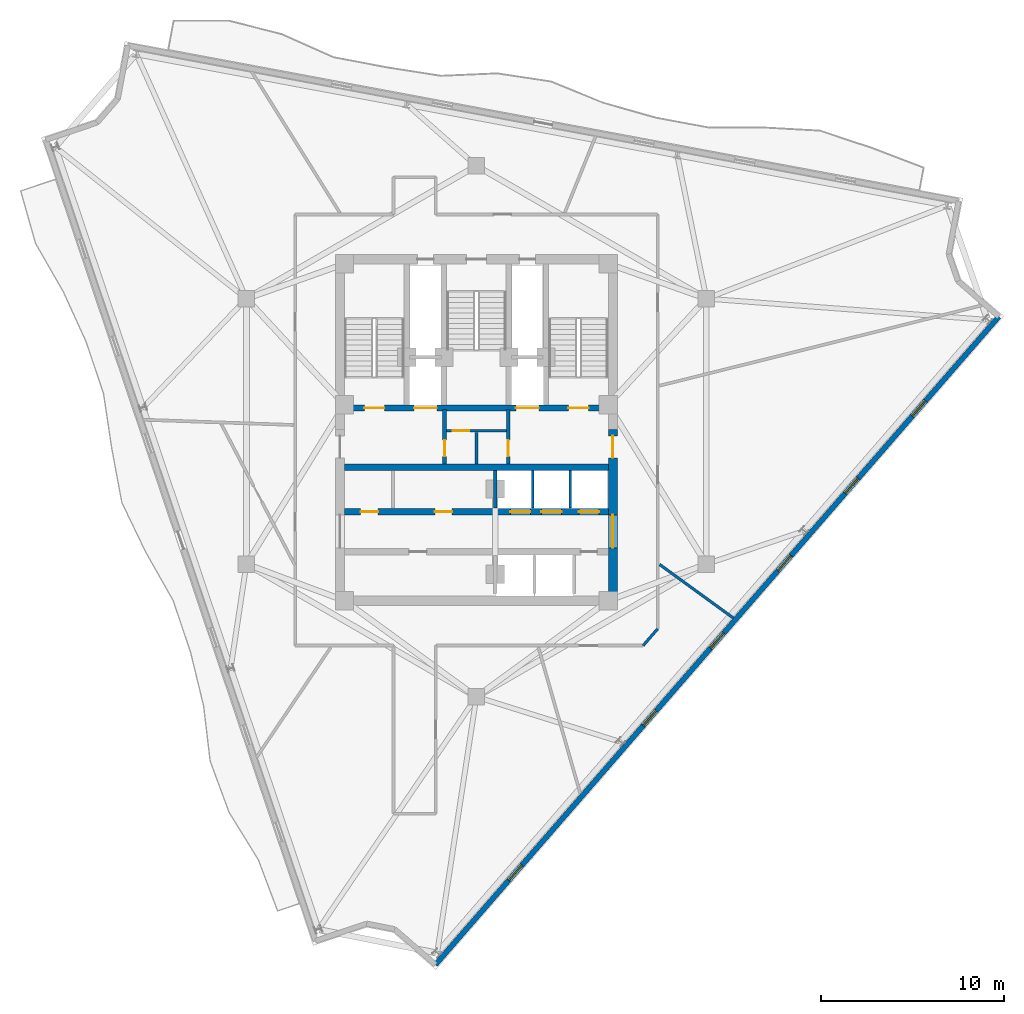
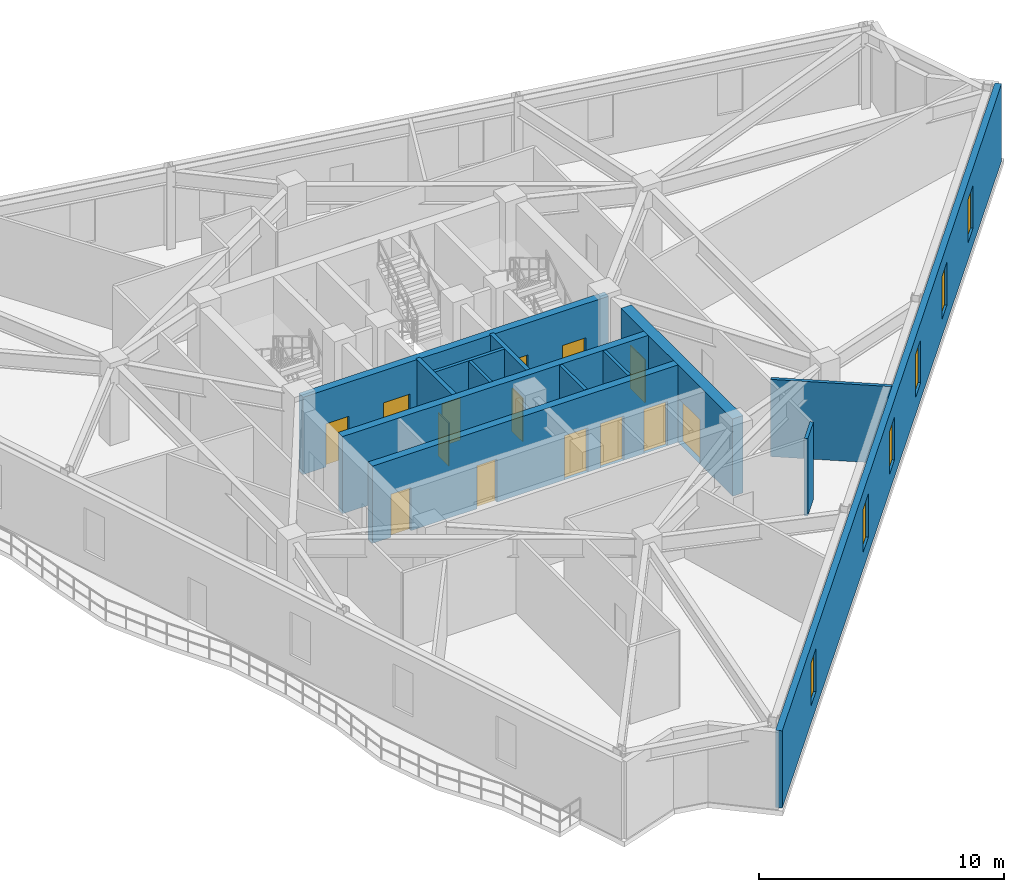
# One storey, part 5 of 9: 14 doors, 14 walls, 6 windows, 20 openings.
"""IFC4 building model written with IfcOpenShell, lengths in metres."""

from ifc_helpers import new_model, si_unit, direction, frame, frame_2d, origin, place, context, subcontext, project, spatial, rectangle, extrude, material, layer, layer_set, type_object, element, fill, save


model = new_model("IFC4")

# Units and contexts
model_context = context("Model", 3, precision=1e-05, world=origin(), true_north=direction((0.0, 1.0)))
body_context = subcontext(model_context, "Body", "Model", "MODEL_VIEW")
ifc_project = project(units=[si_unit("LENGTHUNIT", "METRE"), si_unit("AREAUNIT", "SQUARE_METRE"), si_unit("VOLUMEUNIT", "CUBIC_METRE"), si_unit("PLANEANGLEUNIT", "RADIAN"), si_unit("MASSUNIT", "GRAM", prefix="KILO")], contexts=[model_context])

# Site, building, storey
site_placement = place(None, origin())
site = spatial("IfcSite", under=ifc_project, at=site_placement, CompositionType="ELEMENT")
building_placement = place(site_placement, origin())
building = spatial("IfcBuilding", under=site, at=building_placement, Name="Apsidion Concourse Tower", CompositionType="ELEMENT")
storey_placement = place(building_placement, frame((0.0, 0.0, 277.800048828125)))
storey = spatial("IfcBuildingStorey", under=building, at=storey_placement, Name="L65", CompositionType="ELEMENT", Elevation=277.800048828125)

# Wall, openings, windows
ifc_material_1 = material(Name="Precast concrete C40/50", Category="concrete")
ifc_layer_1 = layer(ifc_material_1, 0.280029296875)
ifc_layer_set_1 = layer_set([ifc_layer_1], Name="Precast concrete C40/50")
wall_type_1 = type_object("IfcWallType", Name="WL-EXT-280", PredefinedType="STANDARD", material=ifc_layer_set_1)
wall_1_placement = place(storey_placement, frame((28.531494140625, 6.267578125, 0.0), z_axis=(0.0, 0.0, 1.0), x_axis=(-0.656055748756, -0.754712431674, 0.0)))
wall_1 = element("IfcWall", 1, at=wall_1_placement, inside=storey, type_object=wall_type_1, Name="L65 Precast Stone Facade Wall 05", PredefinedType="STANDARD", context=body_context, shape_type="SweptSolid", body=[
    extrude(rectangle(XDim=46.89697265625, YDim=0.280029296875, at=frame_2d((23.448486328125, 0.0))), origin(), (0.0, 0.0, 1.0), 3.849853515625),
])
opening_1_placement = place(wall_1_placement, frame((6.0986328125, 0.0, 0.85009765625)))
opening_1 = element("IfcOpeningElement", 2, at=opening_1_placement, cuts=wall_1, Name="Opening WN-07", PredefinedType="OPENING", context=body_context, shape_type="SweptSolid", body=[
    extrude(rectangle(XDim=1.10009765625, YDim=2.14990234375, at=frame_2d((0.550048828125, 1.074951171875))), frame((0.0, 0.14990234375, 0.0), z_axis=(0.0, -1.0, 0.0), x_axis=(1.0, 0.0, 0.0)), (0.0, 0.0, 1.0), 0.300048828125),
])
opening_2_placement = place(wall_1_placement, frame((11.698486328125, 0.0, 0.85009765625)))
opening_2 = element("IfcOpeningElement", 3, at=opening_2_placement, cuts=wall_1, Name="Opening WN-07", PredefinedType="OPENING", context=body_context, shape_type="SweptSolid", body=[
    extrude(rectangle(XDim=1.10009765625, YDim=2.14990234375, at=frame_2d((0.550048828125, 1.074951171875))), frame((0.0, 0.14990234375, 0.0), z_axis=(0.0, -1.0, 0.0), x_axis=(1.0, 0.0, 0.0)), (0.0, 0.0, 1.0), 0.300048828125),
])
opening_3_placement = place(wall_1_placement, frame((17.298583984375, 0.0, 0.85009765625)))
opening_3 = element("IfcOpeningElement", 4, at=opening_3_placement, cuts=wall_1, Name="Opening WN-07", PredefinedType="OPENING", context=body_context, shape_type="SweptSolid", body=[
    extrude(rectangle(XDim=1.10009765625, YDim=2.14990234375, at=frame_2d((0.550048828125, 1.074951171875))), frame((0.0, 0.14990234375, 0.0), z_axis=(0.0, -1.0, 0.0), x_axis=(1.0, 0.0, 0.0)), (0.0, 0.0, 1.0), 0.300048828125),
])
opening_4_placement = place(wall_1_placement, frame((22.898681640625, 0.0, 0.85009765625)))
opening_4 = element("IfcOpeningElement", 5, at=opening_4_placement, cuts=wall_1, Name="Opening WN-07", PredefinedType="OPENING", context=body_context, shape_type="SweptSolid", body=[
    extrude(rectangle(XDim=1.10009765625, YDim=2.14990234375, at=frame_2d((0.550048828125, 1.074951171875))), frame((0.0, 0.14990234375, 0.0), z_axis=(0.0, -1.0, 0.0), x_axis=(1.0, 0.0, 0.0)), (0.0, 0.0, 1.0), 0.300048828125),
])
opening_5_placement = place(wall_1_placement, frame((28.49853515625, 0.0, 0.85009765625)))
opening_5 = element("IfcOpeningElement", 6, at=opening_5_placement, cuts=wall_1, Name="Opening WN-07", PredefinedType="OPENING", context=body_context, shape_type="SweptSolid", body=[
    extrude(rectangle(XDim=1.10009765625, YDim=2.14990234375, at=frame_2d((0.550048828125, 1.074951171875))), frame((0.0, 0.14990234375, 0.0), z_axis=(0.0, -1.0, 0.0), x_axis=(1.0, 0.0, 0.0)), (0.0, 0.0, 1.0), 0.300048828125),
])
opening_6_placement = place(wall_1_placement, frame((39.698486328125, 0.0, 0.85009765625)))
opening_6 = element("IfcOpeningElement", 7, at=opening_6_placement, cuts=wall_1, Name="Opening WN-07", PredefinedType="OPENING", context=body_context, shape_type="SweptSolid", body=[
    extrude(rectangle(XDim=1.10009765625, YDim=2.14990234375, at=frame_2d((0.550048828125, 1.074951171875))), frame((0.0, 0.14990234375, 0.0), z_axis=(0.0, -1.0, 0.0), x_axis=(1.0, 0.0, 0.0)), (0.0, 0.0, 1.0), 0.300048828125),
])
ifc_material_2 = material(Name="Insulated laminated low-E glass", Category="glass")
window_type = type_object("IfcWindowType", Name="WN-OFF-1123", PartitioningType="SINGLE_PANEL", PredefinedType="WINDOW", material=ifc_material_2)
window_1_placement = place(opening_1_placement, origin())
window_1 = element("IfcWindow", 8, at=window_1_placement, inside=storey, type_object=window_type, Name="L65 Punched Facade Window 5-01", OverallHeight=2.14990234375, OverallWidth=1.10009765625, PartitioningType="SINGLE_PANEL", PredefinedType="WINDOW", context=body_context, shape_type="SweptSolid", body=[
    extrude(rectangle(XDim=1.10009765625, YDim=2.14990234375, at=frame_2d((0.550048828125, 1.074951171875))), frame((0.0, 0.030029296875, 0.0), z_axis=(0.0, -1.0, 0.0), x_axis=(1.0, 0.0, 0.0)), (0.0, 0.0, 1.0), 0.06005859375),
])
fill(opening_1, window_1)
window_2_placement = place(opening_2_placement, origin())
window_2 = element("IfcWindow", 9, at=window_2_placement, inside=storey, type_object=window_type, Name="L65 Punched Facade Window 5-02", OverallHeight=2.14990234375, OverallWidth=1.10009765625, PartitioningType="SINGLE_PANEL", PredefinedType="WINDOW", context=body_context, shape_type="SweptSolid", body=[
    extrude(rectangle(XDim=1.10009765625, YDim=2.14990234375, at=frame_2d((0.550048828125, 1.074951171875))), frame((0.0, 0.030029296875, 0.0), z_axis=(0.0, -1.0, 0.0), x_axis=(1.0, 0.0, 0.0)), (0.0, 0.0, 1.0), 0.06005859375),
])
fill(opening_2, window_2)
window_3_placement = place(opening_3_placement, origin())
window_3 = element("IfcWindow", 10, at=window_3_placement, inside=storey, type_object=window_type, Name="L65 Punched Facade Window 5-03", OverallHeight=2.14990234375, OverallWidth=1.10009765625, PartitioningType="SINGLE_PANEL", PredefinedType="WINDOW", context=body_context, shape_type="SweptSolid", body=[
    extrude(rectangle(XDim=1.10009765625, YDim=2.14990234375, at=frame_2d((0.550048828125, 1.074951171875))), frame((0.0, 0.030029296875, 0.0), z_axis=(0.0, -1.0, 0.0), x_axis=(1.0, 0.0, 0.0)), (0.0, 0.0, 1.0), 0.06005859375),
])
fill(opening_3, window_3)
window_4_placement = place(opening_4_placement, origin())
window_4 = element("IfcWindow", 11, at=window_4_placement, inside=storey, type_object=window_type, Name="L65 Punched Facade Window 5-04", OverallHeight=2.14990234375, OverallWidth=1.10009765625, PartitioningType="SINGLE_PANEL", PredefinedType="WINDOW", context=body_context, shape_type="SweptSolid", body=[
    extrude(rectangle(XDim=1.10009765625, YDim=2.14990234375, at=frame_2d((0.550048828125, 1.074951171875))), frame((0.0, 0.030029296875, 0.0), z_axis=(0.0, -1.0, 0.0), x_axis=(1.0, 0.0, 0.0)), (0.0, 0.0, 1.0), 0.06005859375),
])
fill(opening_4, window_4)
window_5_placement = place(opening_5_placement, origin())
window_5 = element("IfcWindow", 12, at=window_5_placement, inside=storey, type_object=window_type, Name="L65 Punched Facade Window 5-05", OverallHeight=2.14990234375, OverallWidth=1.10009765625, PartitioningType="SINGLE_PANEL", PredefinedType="WINDOW", context=body_context, shape_type="SweptSolid", body=[
    extrude(rectangle(XDim=1.10009765625, YDim=2.14990234375, at=frame_2d((0.550048828125, 1.074951171875))), frame((0.0, 0.030029296875, 0.0), z_axis=(0.0, -1.0, 0.0), x_axis=(1.0, 0.0, 0.0)), (0.0, 0.0, 1.0), 0.06005859375),
])
fill(opening_5, window_5)
window_6_placement = place(opening_6_placement, origin())
window_6 = element("IfcWindow", 13, at=window_6_placement, inside=storey, type_object=window_type, Name="L65 Punched Facade Window 5-07", OverallHeight=2.14990234375, OverallWidth=1.10009765625, PartitioningType="SINGLE_PANEL", PredefinedType="WINDOW", context=body_context, shape_type="SweptSolid", body=[
    extrude(rectangle(XDim=1.10009765625, YDim=2.14990234375, at=frame_2d((0.550048828125, 1.074951171875))), frame((0.0, 0.030029296875, 0.0), z_axis=(0.0, -1.0, 0.0), x_axis=(1.0, 0.0, 0.0)), (0.0, 0.0, 1.0), 0.06005859375),
])
fill(opening_6, window_6)

# Walls
ifc_material_3 = material(Name="Gypsum plasterboard partition")
ifc_layer_2 = layer(ifc_material_3, 0.14990234375)
ifc_layer_set_2 = layer_set([ifc_layer_2], Name="Gypsum plasterboard partition")
wall_type_2 = type_object("IfcWallType", Name="WL-INT-PAR-150", PredefinedType="PARTITIONING", material=ifc_layer_set_2)
for number, where, z_axis, x_axis, name in (
    (14, (3.074951171875, -4.179931640625, 0.0), (0.0, 0.0, 1.0), (0.0, 1.0, 0.0), "L65 Interior Partition WL-L65-B3DIV-1"),
    (15, (5.125, -4.179931640625, 0.0), (0.0, 0.0, 1.0), (0.0, 1.0, 0.0), "L65 Interior Partition WL-L65-B3DIV-2"),
):
    element("IfcWall", number, at=place(storey_placement, frame(where, z_axis=z_axis, x_axis=x_axis)), inside=storey, type_object=wall_type_2, Name=name, PredefinedType="PARTITIONING", context=body_context, shape_type="SweptSolid", body=[
        extrude(rectangle(XDim=2.030029296875, YDim=0.14990234375, at=frame_2d((1.01513671875, 0.0))), origin(), (0.0, 0.0, 1.0), 3.849853515625),
    ])

# Wall, opening, door
wall_2_placement = place(storey_placement, frame((-1.639892578125, 0.0400390625, 0.0), z_axis=(0.0, 0.0, 1.0), x_axis=(1.0, 0.0, 0.0)))
wall_2 = element("IfcWall", 16, at=wall_2_placement, inside=storey, type_object=wall_type_2, Name="L65 Interior Partition WL-L65-K4H", PredefinedType="PARTITIONING", context=body_context, shape_type="SweptSolid", body=[
    extrude(rectangle(XDim=3.27978515625, YDim=0.14990234375, at=frame_2d((1.639892578125, 0.0))), origin(), (0.0, 0.0, 1.0), 3.849853515625),
])
opening_7_placement = place(wall_2_placement, frame((0.360107421875, 0.0, 0.0)))
opening_7 = element("IfcOpeningElement", 17, at=opening_7_placement, cuts=wall_2, Name="Opening D-03L", PredefinedType="OPENING", context=body_context, shape_type="SweptSolid", body=[
    extrude(rectangle(XDim=0.8798828125, YDim=2.10009765625, at=frame_2d((0.43994140625, 1.050048828125))), frame((0.0, 0.0849609375, 0.0), z_axis=(0.0, -1.0, 0.0), x_axis=(1.0, 0.0, 0.0)), (0.0, 0.0, 1.0), 0.169921875),
])
ifc_material_4 = material(Name="Anodised aluminium EN AW-6063 T6", Category="aluminium")
door_type_1 = type_object("IfcDoorType", Name="DR-INT-D03L", OperationType="SINGLE_SWING_LEFT", PredefinedType="DOOR", material=ifc_material_4)
door_1_placement = place(opening_7_placement, origin())
door_1 = element("IfcDoor", 18, at=door_1_placement, inside=storey, type_object=door_type_1, Name="L65 Core Telecoms Door", OperationType="SINGLE_SWING_LEFT", OverallHeight=2.10009765625, OverallWidth=0.8798828125, PredefinedType="DOOR", context=body_context, shape_type="SweptSolid", body=[
    extrude(rectangle(XDim=0.8798828125, YDim=2.10009765625, at=frame_2d((0.43994140625, 1.050048828125))), frame((0.0, 0.02490234375, 0.0), z_axis=(0.0, -1.0, 0.0), x_axis=(1.0, 0.0, 0.0)), (0.0, 0.0, 1.0), 0.050048828125),
])
fill(opening_7, door_1)

# Walls
wall_3_placement = place(storey_placement, frame((0.0, -1.780029296875, 0.0), z_axis=(0.0, 0.0, 1.0), x_axis=(0.0, 1.0, 0.0)))
element("IfcWall", 19, at=wall_3_placement, inside=storey, type_object=wall_type_2, Name="L65 Interior Partition WL-L65-K4V", PredefinedType="PARTITIONING", context=body_context, shape_type="SweptSolid", body=[
    extrude(rectangle(XDim=1.72998046875, YDim=0.14990234375, at=frame_2d((0.864990234375, 0.0))), origin(), (0.0, 0.0, 1.0), 3.849853515625),
])
wall_4_placement = place(storey_placement, frame((9.89990234375, -10.783447265625, 0.0), z_axis=(0.0, 0.0, 1.0), x_axis=(-0.656024397367, -0.754739683639, 0.0)))
element("IfcWall", 20, at=wall_4_placement, inside=storey, type_object=wall_type_2, Name="L65 Interior Partition WL-L65-CORR-09", PredefinedType="PARTITIONING", context=body_context, shape_type="SweptSolid", body=[
    extrude(rectangle(XDim=1.21435546875, YDim=0.14990234375, at=frame_2d((0.607177734375, 0.0))), origin(), (0.0, 0.0, 1.0), 3.849853515625),
])
wall_5_placement = place(storey_placement, frame((10.0048828125, -7.26904296875, 0.0), z_axis=(0.0, 0.0, 1.0), x_axis=(0.809029403969, -0.587768171572, 0.0)))
element("IfcWall", 21, at=wall_5_placement, inside=storey, type_object=wall_type_2, Name="L65 Interior Partition WL-L65-RAD-07-1", PredefinedType="PARTITIONING", context=body_context, shape_type="SweptSolid", body=[
    extrude(rectangle(XDim=4.96533203125, YDim=0.14990234375, at=frame_2d((2.482666015625, 0.0))), origin(), (0.0, 0.0, 1.0), 3.849853515625),
])
ifc_layer_3 = layer(ifc_material_3, 0.179931640625)
ifc_layer_set_3 = layer_set([ifc_layer_3], Name="Gypsum plasterboard partition")
wall_type_3 = type_object("IfcWallType", Name="WL-INT-PAR-180", PredefinedType="PARTITIONING", material=ifc_layer_set_3)
wall_6_placement = place(storey_placement, frame((1.02490234375, -4.179931640625, 0.0), z_axis=(0.0, 0.0, 1.0), x_axis=(0.0, 1.0, 0.0)))
element("IfcWall", 22, at=wall_6_placement, inside=storey, type_object=wall_type_3, Name="L65 Interior Partition WL-L65-B1END", PredefinedType="PARTITIONING", context=body_context, shape_type="SweptSolid", body=[
    extrude(rectangle(XDim=2.030029296875, YDim=0.179931640625, at=frame_2d((1.01513671875, 0.0))), origin(), (0.0, 0.0, 1.0), 2.89794921875),
])

# Wall, opening, door
ifc_layer_4 = layer(ifc_material_3, 0.199951171875)
ifc_layer_set_4 = layer_set([ifc_layer_4], Name="Gypsum plasterboard partition")
wall_type_4 = type_object("IfcWallType", Name="WL-INT-PAR-200", PredefinedType="PARTITIONING", material=ifc_layer_set_4)
wall_7_placement = place(storey_placement, frame((-1.739990234375, -1.780029296875, 0.0), z_axis=(0.0, 0.0, 1.0), x_axis=(0.0, 1.0, 0.0)))
wall_7 = element("IfcWall", 23, at=wall_7_placement, inside=storey, type_object=wall_type_4, Name="L65 Interior Partition WL-L65-FF1-E", PredefinedType="PARTITIONING", context=body_context, shape_type="SweptSolid", body=[
    extrude(rectangle(XDim=2.97998046875, YDim=0.199951171875, at=frame_2d((1.489990234375, 0.0))), origin(), (0.0, 0.0, 1.0), 3.849853515625),
])
opening_8_placement = place(wall_7_placement, frame((0.419921875, 0.0, 0.0)))
opening_8 = element("IfcOpeningElement", 24, at=opening_8_placement, cuts=wall_7, Name="Opening D-05R", PredefinedType="OPENING", context=body_context, shape_type="SweptSolid", body=[
    extrude(rectangle(XDim=0.8798828125, YDim=2.14990234375, at=frame_2d((0.43994140625, 1.074951171875))), frame((0.0, 0.10986328125, 0.0), z_axis=(0.0, -1.0, 0.0), x_axis=(1.0, 0.0, 0.0)), (0.0, 0.0, 1.0), 0.219970703125),
])
ifc_material_5 = material(Name="Brushed stainless steel 316", Category="steel")
door_type_2 = type_object("IfcDoorType", Name="DR-INT-D05R", OperationType="SINGLE_SWING_RIGHT", PredefinedType="DOOR", material=ifc_material_5)
door_2_placement = place(opening_8_placement, origin())
door_2 = element("IfcDoor", 25, at=door_2_placement, inside=storey, type_object=door_type_2, Name="L65 Core Switch Room Door", OperationType="SINGLE_SWING_RIGHT", OverallHeight=2.14990234375, OverallWidth=0.8798828125, PredefinedType="DOOR", context=body_context, shape_type="SweptSolid", body=[
    extrude(rectangle(XDim=0.8798828125, YDim=2.14990234375, at=frame_2d((0.43994140625, 1.074951171875))), frame((0.0, 0.02490234375, 0.0), z_axis=(0.0, -1.0, 0.0), x_axis=(1.0, 0.0, 0.0)), (0.0, 0.0, 1.0), 0.050048828125),
])
fill(opening_8, door_2)

wall_8_placement = place(storey_placement, frame((1.739990234375, -1.780029296875, 0.0), z_axis=(0.0, 0.0, 1.0), x_axis=(0.0, 1.0, 0.0)))
wall_8 = element("IfcWall", 26, at=wall_8_placement, inside=storey, type_object=wall_type_4, Name="L65 Interior Partition WL-L65-FF2-W", PredefinedType="PARTITIONING", context=body_context, shape_type="SweptSolid", body=[
    extrude(rectangle(XDim=2.97998046875, YDim=0.199951171875, at=frame_2d((1.489990234375, 0.0))), origin(), (0.0, 0.0, 1.0), 3.849853515625),
])
opening_9_placement = place(wall_8_placement, frame((0.419921875, 0.0, 0.0)))
opening_9 = element("IfcOpeningElement", 27, at=opening_9_placement, cuts=wall_8, Name="Opening D-05L", PredefinedType="OPENING", context=body_context, shape_type="SweptSolid", body=[
    extrude(rectangle(XDim=0.8798828125, YDim=2.14990234375, at=frame_2d((0.43994140625, 1.074951171875))), frame((0.0, 0.10986328125, 0.0), z_axis=(0.0, -1.0, 0.0), x_axis=(1.0, 0.0, 0.0)), (0.0, 0.0, 1.0), 0.219970703125),
])
door_type_3 = type_object("IfcDoorType", Name="DR-INT-D05L", OperationType="SINGLE_SWING_LEFT", PredefinedType="DOOR", material=ifc_material_5)
door_3_placement = place(opening_9_placement, origin())
door_3 = element("IfcDoor", 28, at=door_3_placement, inside=storey, type_object=door_type_3, Name="L65 Core First Aid Door", OperationType="SINGLE_SWING_LEFT", OverallHeight=2.14990234375, OverallWidth=0.8798828125, PredefinedType="DOOR", context=body_context, shape_type="SweptSolid", body=[
    extrude(rectangle(XDim=0.8798828125, YDim=2.14990234375, at=frame_2d((0.43994140625, 1.074951171875))), frame((0.0, 0.02490234375, 0.0), z_axis=(0.0, -1.0, 0.0), x_axis=(1.0, 0.0, 0.0)), (0.0, 0.0, 1.0), 0.050048828125),
])
fill(opening_9, door_3)

# Wall, openings, doors
ifc_material_6 = material(Name="Concrete C50/60", Category="concrete")
ifc_layer_5 = layer(ifc_material_6, 0.35009765625)
ifc_layer_set_5 = layer_set([ifc_layer_5], Name="Concrete C50/60")
wall_type_5 = type_object("IfcWallType", Name="WL-SH-350", PredefinedType="SHEAR", material=ifc_layer_set_5)
wall_9_placement = place(storey_placement, frame((-7.199951171875, 1.27490234375, 0.0), z_axis=(0.0, 0.0, 1.0), x_axis=(1.0, 0.0, 0.0)))
wall_9 = element("IfcWall", 29, at=wall_9_placement, inside=storey, type_object=wall_type_5, Name="L65 Central Core Shear Wall M1", PredefinedType="SHEAR", context=body_context, shape_type="SweptSolid", body=[
    extrude(rectangle(XDim=14.39990234375, YDim=0.35009765625, at=frame_2d((7.199951171875, 0.0))), origin(), (0.0, 0.0, 1.0), 3.849853515625),
])
opening_10_placement = place(wall_9_placement, frame((3.794921875, 0.0, 0.0)))
opening_10 = element("IfcOpeningElement", 30, at=opening_10_placement, cuts=wall_9, Name="Opening LD-FF", PredefinedType="OPENING", context=body_context, shape_type="SweptSolid", body=[
    extrude(rectangle(XDim=1.25, YDim=2.25, at=frame_2d((0.625, 1.125))), frame((0.0, 0.18505859375, 0.0), z_axis=(0.0, -1.0, 0.0), x_axis=(1.0, 0.0, 0.0)), (0.0, 0.0, 1.0), 0.3701171875),
])
opening_11_placement = place(wall_9_placement, frame((9.35498046875, 0.0, 0.0)))
opening_11 = element("IfcOpeningElement", 31, at=opening_11_placement, cuts=wall_9, Name="Opening LD-FF", PredefinedType="OPENING", context=body_context, shape_type="SweptSolid", body=[
    extrude(rectangle(XDim=1.25, YDim=2.25, at=frame_2d((0.625, 1.125))), frame((0.0, 0.18505859375, 0.0), z_axis=(0.0, -1.0, 0.0), x_axis=(1.0, 0.0, 0.0)), (0.0, 0.0, 1.0), 0.3701171875),
])
opening_12_placement = place(wall_9_placement, frame((1.074951171875, 0.0, 0.0)))
opening_12 = element("IfcOpeningElement", 32, at=opening_12_placement, cuts=wall_9, Name="Opening D-STL", PredefinedType="OPENING", context=body_context, shape_type="SweptSolid", body=[
    extrude(rectangle(XDim=1.10009765625, YDim=2.14990234375, at=frame_2d((0.550048828125, 1.074951171875))), frame((0.0, 0.18505859375, 0.0), z_axis=(0.0, -1.0, 0.0), x_axis=(1.0, 0.0, 0.0)), (0.0, 0.0, 1.0), 0.3701171875),
])
opening_13_placement = place(wall_9_placement, frame((12.22509765625, 0.0, 0.0)))
opening_13 = element("IfcOpeningElement", 33, at=opening_13_placement, cuts=wall_9, Name="Opening D-STR", PredefinedType="OPENING", context=body_context, shape_type="SweptSolid", body=[
    extrude(rectangle(XDim=1.10009765625, YDim=2.14990234375, at=frame_2d((0.550048828125, 1.074951171875))), frame((0.0, 0.18505859375, 0.0), z_axis=(0.0, -1.0, 0.0), x_axis=(1.0, 0.0, 0.0)), (0.0, 0.0, 1.0), 0.3701171875),
])
door_type_4 = type_object("IfcDoorType", Name="DR-INT-ST1L", OperationType="SINGLE_SWING_LEFT", PredefinedType="DOOR", material=ifc_material_5)
door_4_placement = place(opening_12_placement, origin())
door_4 = element("IfcDoor", 34, at=door_4_placement, inside=storey, type_object=door_type_4, Name="L65 Core Exit Stair ST1 Door", OperationType="SINGLE_SWING_LEFT", OverallHeight=2.14990234375, OverallWidth=1.10009765625, PredefinedType="DOOR", context=body_context, shape_type="SweptSolid", body=[
    extrude(rectangle(XDim=1.10009765625, YDim=2.14990234375, at=frame_2d((0.550048828125, 1.074951171875))), frame((0.0, 0.02490234375, 0.0), z_axis=(0.0, -1.0, 0.0), x_axis=(1.0, 0.0, 0.0)), (0.0, 0.0, 1.0), 0.050048828125),
])
fill(opening_12, door_4)
door_type_5 = type_object("IfcDoorType", Name="DR-INT-ST1R", OperationType="SINGLE_SWING_RIGHT", PredefinedType="DOOR", material=ifc_material_5)
door_5_placement = place(opening_13_placement, origin())
door_5 = element("IfcDoor", 35, at=door_5_placement, inside=storey, type_object=door_type_5, Name="L65 Core Exit Stair ST2 Door", OperationType="SINGLE_SWING_RIGHT", OverallHeight=2.14990234375, OverallWidth=1.10009765625, PredefinedType="DOOR", context=body_context, shape_type="SweptSolid", body=[
    extrude(rectangle(XDim=1.10009765625, YDim=2.14990234375, at=frame_2d((0.550048828125, 1.074951171875))), frame((0.0, 0.02490234375, 0.0), z_axis=(0.0, -1.0, 0.0), x_axis=(1.0, 0.0, 0.0)), (0.0, 0.0, 1.0), 0.050048828125),
])
fill(opening_13, door_5)
door_type_6 = type_object("IfcDoorType", Name="DR-LD-FSAE", OperationType="DOUBLE_DOOR_SLIDING", PredefinedType="DOOR", material=ifc_material_5)
door_6_placement = place(opening_10_placement, origin())
door_6 = element("IfcDoor", 36, at=door_6_placement, inside=storey, type_object=door_type_6, Name="L65 Lift Landing Door FF1", OperationType="DOUBLE_DOOR_SLIDING", OverallHeight=2.25, OverallWidth=1.25, PredefinedType="DOOR", context=body_context, shape_type="SweptSolid", body=[
    extrude(rectangle(XDim=1.25, YDim=2.25, at=frame_2d((0.625, 1.125))), frame((0.0, 0.02490234375, 0.0), z_axis=(0.0, -1.0, 0.0), x_axis=(1.0, 0.0, 0.0)), (0.0, 0.0, 1.0), 0.050048828125),
])
fill(opening_10, door_6)
door_7_placement = place(opening_11_placement, origin())
door_7 = element("IfcDoor", 37, at=door_7_placement, inside=storey, type_object=door_type_6, Name="L65 Lift Landing Door FF2", OperationType="DOUBLE_DOOR_SLIDING", OverallHeight=2.25, OverallWidth=1.25, PredefinedType="DOOR", context=body_context, shape_type="SweptSolid", body=[
    extrude(rectangle(XDim=1.25, YDim=2.25, at=frame_2d((0.625, 1.125))), frame((0.0, 0.02490234375, 0.0), z_axis=(0.0, -1.0, 0.0), x_axis=(1.0, 0.0, 0.0)), (0.0, 0.0, 1.0), 0.050048828125),
])
fill(opening_11, door_7)

# Wall
wall_10_placement = place(storey_placement, frame((-7.199951171875, -1.949951171875, 0.0), z_axis=(0.0, 0.0, 1.0), x_axis=(1.0, 0.0, 0.0)))
element("IfcWall", 38, at=wall_10_placement, inside=storey, type_object=wall_type_5, Name="L65 Central Core Shear Wall M2", PredefinedType="SHEAR", context=body_context, shape_type="SweptSolid", body=[
    extrude(rectangle(XDim=14.39990234375, YDim=0.35009765625, at=frame_2d((7.199951171875, 0.0))), origin(), (0.0, 0.0, 1.0), 3.849853515625),
])

# Wall, openings, doors
wall_11_placement = place(storey_placement, frame((-7.199951171875, -4.3798828125, 0.0), z_axis=(0.0, 0.0, 1.0), x_axis=(1.0, 0.0, 0.0)))
wall_11 = element("IfcWall", 39, at=wall_11_placement, inside=storey, type_object=wall_type_5, Name="L65 Central Core Shear Wall LA", PredefinedType="SHEAR", context=body_context, shape_type="SweptSolid", body=[
    extrude(rectangle(XDim=14.39990234375, YDim=0.35009765625, at=frame_2d((7.199951171875, 0.0))), origin(), (0.0, 0.0, 1.0), 3.849853515625),
])
opening_14_placement = place(wall_11_placement, frame((9.050048828125, 0.0, 0.0)))
opening_14 = element("IfcOpeningElement", 40, at=opening_14_placement, cuts=wall_11, Name="Opening LD-P1", PredefinedType="OPENING", context=body_context, shape_type="SweptSolid", body=[
    extrude(rectangle(XDim=1.10009765625, YDim=2.199951171875, at=frame_2d((0.550048828125, 1.10009765625))), frame((0.0, 0.18505859375, 0.0), z_axis=(0.0, -1.0, 0.0), x_axis=(1.0, 0.0, 0.0)), (0.0, 0.0, 1.0), 0.3701171875),
])
opening_15_placement = place(wall_11_placement, frame((10.75, 0.0, 0.0)))
opening_15 = element("IfcOpeningElement", 41, at=opening_15_placement, cuts=wall_11, Name="Opening LD-P1", PredefinedType="OPENING", context=body_context, shape_type="SweptSolid", body=[
    extrude(rectangle(XDim=1.10009765625, YDim=2.199951171875, at=frame_2d((0.550048828125, 1.10009765625))), frame((0.0, 0.18505859375, 0.0), z_axis=(0.0, -1.0, 0.0), x_axis=(1.0, 0.0, 0.0)), (0.0, 0.0, 1.0), 0.3701171875),
])
opening_16_placement = place(wall_11_placement, frame((12.800048828125, 0.0, 0.0)))
opening_16 = element("IfcOpeningElement", 42, at=opening_16_placement, cuts=wall_11, Name="Opening LD-P1", PredefinedType="OPENING", context=body_context, shape_type="SweptSolid", body=[
    extrude(rectangle(XDim=1.10009765625, YDim=2.199951171875, at=frame_2d((0.550048828125, 1.10009765625))), frame((0.0, 0.18505859375, 0.0), z_axis=(0.0, -1.0, 0.0), x_axis=(1.0, 0.0, 0.0)), (0.0, 0.0, 1.0), 0.3701171875),
])
opening_17_placement = place(wall_11_placement, frame((0.875, 0.0, 0.0)))
opening_17 = element("IfcOpeningElement", 43, at=opening_17_placement, cuts=wall_11, Name="Opening D-04L", PredefinedType="OPENING", context=body_context, shape_type="SweptSolid", body=[
    extrude(rectangle(XDim=0.949951171875, YDim=2.14990234375, at=frame_2d((0.47509765625, 1.074951171875))), frame((0.0, 0.18505859375, 0.0), z_axis=(0.0, -1.0, 0.0), x_axis=(1.0, 0.0, 0.0)), (0.0, 0.0, 1.0), 0.3701171875),
])
opening_18_placement = place(wall_11_placement, frame((4.925048828125, 0.0, 0.0)))
opening_18 = element("IfcOpeningElement", 44, at=opening_18_placement, cuts=wall_11, Name="Opening D-04R", PredefinedType="OPENING", context=body_context, shape_type="SweptSolid", body=[
    extrude(rectangle(XDim=0.949951171875, YDim=2.14990234375, at=frame_2d((0.47509765625, 1.074951171875))), frame((0.0, 0.18505859375, 0.0), z_axis=(0.0, -1.0, 0.0), x_axis=(1.0, 0.0, 0.0)), (0.0, 0.0, 1.0), 0.3701171875),
])
door_type_7 = type_object("IfcDoorType", Name="DR-INT-D04L", OperationType="SINGLE_SWING_LEFT", PredefinedType="DOOR", material=ifc_material_5)
door_8_placement = place(opening_17_placement, origin())
door_8 = element("IfcDoor", 45, at=door_8_placement, inside=storey, type_object=door_type_7, Name="L65 Core Supply Store Door", OperationType="SINGLE_SWING_LEFT", OverallHeight=2.14990234375, OverallWidth=0.949951171875, PredefinedType="DOOR", context=body_context, shape_type="SweptSolid", body=[
    extrude(rectangle(XDim=0.949951171875, YDim=2.14990234375, at=frame_2d((0.47509765625, 1.074951171875))), frame((0.0, 0.02490234375, 0.0), z_axis=(0.0, -1.0, 0.0), x_axis=(1.0, 0.0, 0.0)), (0.0, 0.0, 1.0), 0.050048828125),
])
fill(opening_17, door_8)
door_type_8 = type_object("IfcDoorType", Name="DR-INT-D04R", OperationType="SINGLE_SWING_RIGHT", PredefinedType="DOOR", material=ifc_material_5)
door_9_placement = place(opening_18_placement, origin())
door_9 = element("IfcDoor", 46, at=door_9_placement, inside=storey, type_object=door_type_8, Name="L65 Core Data and Print Room Door", OperationType="SINGLE_SWING_RIGHT", OverallHeight=2.14990234375, OverallWidth=0.949951171875, PredefinedType="DOOR", context=body_context, shape_type="SweptSolid", body=[
    extrude(rectangle(XDim=0.949951171875, YDim=2.14990234375, at=frame_2d((0.47509765625, 1.074951171875))), frame((0.0, 0.02490234375, 0.0), z_axis=(0.0, -1.0, 0.0), x_axis=(1.0, 0.0, 0.0)), (0.0, 0.0, 1.0), 0.050048828125),
])
fill(opening_18, door_9)
door_type_9 = type_object("IfcDoorType", Name="DR-LD-PASS", OperationType="DOUBLE_DOOR_SLIDING", PredefinedType="DOOR", material=ifc_material_5)
door_10_placement = place(opening_14_placement, origin())
door_10 = element("IfcDoor", 47, at=door_10_placement, inside=storey, type_object=door_type_9, Name="L65 Lift Landing Door P9", OperationType="DOUBLE_DOOR_SLIDING", OverallHeight=2.199951171875, OverallWidth=1.10009765625, PredefinedType="DOOR", context=body_context, shape_type="SweptSolid", body=[
    extrude(rectangle(XDim=1.10009765625, YDim=2.199951171875, at=frame_2d((0.550048828125, 1.10009765625))), frame((0.0, 0.02490234375, 0.0), z_axis=(0.0, -1.0, 0.0), x_axis=(1.0, 0.0, 0.0)), (0.0, 0.0, 1.0), 0.050048828125),
])
fill(opening_14, door_10)
door_11_placement = place(opening_15_placement, origin())
door_11 = element("IfcDoor", 48, at=door_11_placement, inside=storey, type_object=door_type_9, Name="L65 Lift Landing Door P10", OperationType="DOUBLE_DOOR_SLIDING", OverallHeight=2.199951171875, OverallWidth=1.10009765625, PredefinedType="DOOR", context=body_context, shape_type="SweptSolid", body=[
    extrude(rectangle(XDim=1.10009765625, YDim=2.199951171875, at=frame_2d((0.550048828125, 1.10009765625))), frame((0.0, 0.02490234375, 0.0), z_axis=(0.0, -1.0, 0.0), x_axis=(1.0, 0.0, 0.0)), (0.0, 0.0, 1.0), 0.050048828125),
])
fill(opening_15, door_11)
door_12_placement = place(opening_16_placement, origin())
door_12 = element("IfcDoor", 49, at=door_12_placement, inside=storey, type_object=door_type_9, Name="L65 Lift Landing Door P11", OperationType="DOUBLE_DOOR_SLIDING", OverallHeight=2.199951171875, OverallWidth=1.10009765625, PredefinedType="DOOR", context=body_context, shape_type="SweptSolid", body=[
    extrude(rectangle(XDim=1.10009765625, YDim=2.199951171875, at=frame_2d((0.550048828125, 1.10009765625))), frame((0.0, 0.02490234375, 0.0), z_axis=(0.0, -1.0, 0.0), x_axis=(1.0, 0.0, 0.0)), (0.0, 0.0, 1.0), 0.050048828125),
])
fill(opening_16, door_12)

ifc_layer_6 = layer(ifc_material_6, 0.5)
ifc_layer_set_6 = layer_set([ifc_layer_6], Name="Concrete C50/60")
wall_type_6 = type_object("IfcWallType", Name="WL-SH-500", PredefinedType="SHEAR", material=ifc_layer_set_6)
wall_12_placement = place(storey_placement, frame((7.449951171875, -9.0, 0.0), z_axis=(0.0, 0.0, 1.0), x_axis=(0.0, 1.0, 0.0)))
wall_12 = element("IfcWall", 50, at=wall_12_placement, inside=storey, type_object=wall_type_6, Name="L65 Central Core Shear Wall ES", PredefinedType="SHEAR", context=body_context, shape_type="SweptSolid", body=[
    extrude(rectangle(XDim=9.10009765625, YDim=0.5, at=frame_2d((4.550048828125, 0.0))), origin(), (0.0, 0.0, 1.0), 3.849853515625),
])
opening_19_placement = place(wall_12_placement, frame((2.639892578125, 0.0, 0.0)))
opening_19 = element("IfcOpeningElement", 51, at=opening_19_placement, cuts=wall_12, Name="Opening D-06D", PredefinedType="OPENING", context=body_context, shape_type="SweptSolid", body=[
    extrude(rectangle(XDim=1.800048828125, YDim=2.199951171875, at=frame_2d((0.89990234375, 1.10009765625))), frame((0.0, 0.260009765625, 0.0), z_axis=(0.0, -1.0, 0.0), x_axis=(1.0, 0.0, 0.0)), (0.0, 0.0, 1.0), 0.52001953125),
])
opening_20_placement = place(wall_12_placement, frame((7.550048828125, 0.0, 0.0)))
opening_20 = element("IfcOpeningElement", 52, at=opening_20_placement, cuts=wall_12, Name="Opening D-FFR", PredefinedType="OPENING", context=body_context, shape_type="SweptSolid", body=[
    extrude(rectangle(XDim=1.199951171875, YDim=2.14990234375, at=frame_2d((0.60009765625, 1.074951171875))), frame((0.0, 0.260009765625, 0.0), z_axis=(0.0, -1.0, 0.0), x_axis=(1.0, 0.0, 0.0)), (0.0, 0.0, 1.0), 0.52001953125),
])
door_type_10 = type_object("IfcDoorType", Name="DR-INT-D06D", OperationType="DOUBLE_DOOR_SINGLE_SWING", PredefinedType="DOOR", material=ifc_material_5)
door_13_placement = place(opening_19_placement, origin())
door_13 = element("IfcDoor", 53, at=door_13_placement, inside=storey, type_object=door_type_10, Name="L65 Passenger Lift Lobby ES Portal Door", OperationType="DOUBLE_DOOR_SINGLE_SWING", OverallHeight=2.199951171875, OverallWidth=1.800048828125, PredefinedType="DOOR", context=body_context, shape_type="SweptSolid", body=[
    extrude(rectangle(XDim=1.800048828125, YDim=2.199951171875, at=frame_2d((0.89990234375, 1.10009765625))), frame((0.0, 0.02490234375, 0.0), z_axis=(0.0, -1.0, 0.0), x_axis=(1.0, 0.0, 0.0)), (0.0, 0.0, 1.0), 0.050048828125),
])
fill(opening_19, door_13)
door_type_11 = type_object("IfcDoorType", Name="DR-INT-FFR", OperationType="SINGLE_SWING_RIGHT", PredefinedType="DOOR", material=ifc_material_5)
door_14_placement = place(opening_20_placement, origin())
door_14 = element("IfcDoor", 54, at=door_14_placement, inside=storey, type_object=door_type_11, Name="L65 Firefighting Lift Lobby FF2 Door", OperationType="SINGLE_SWING_RIGHT", OverallHeight=2.14990234375, OverallWidth=1.199951171875, PredefinedType="DOOR", context=body_context, shape_type="SweptSolid", body=[
    extrude(rectangle(XDim=1.199951171875, YDim=2.14990234375, at=frame_2d((0.60009765625, 1.074951171875))), frame((0.0, 0.02490234375, 0.0), z_axis=(0.0, -1.0, 0.0), x_axis=(1.0, 0.0, 0.0)), (0.0, 0.0, 1.0), 0.050048828125),
])
fill(opening_20, door_14)

save(model, "model.ifc")
